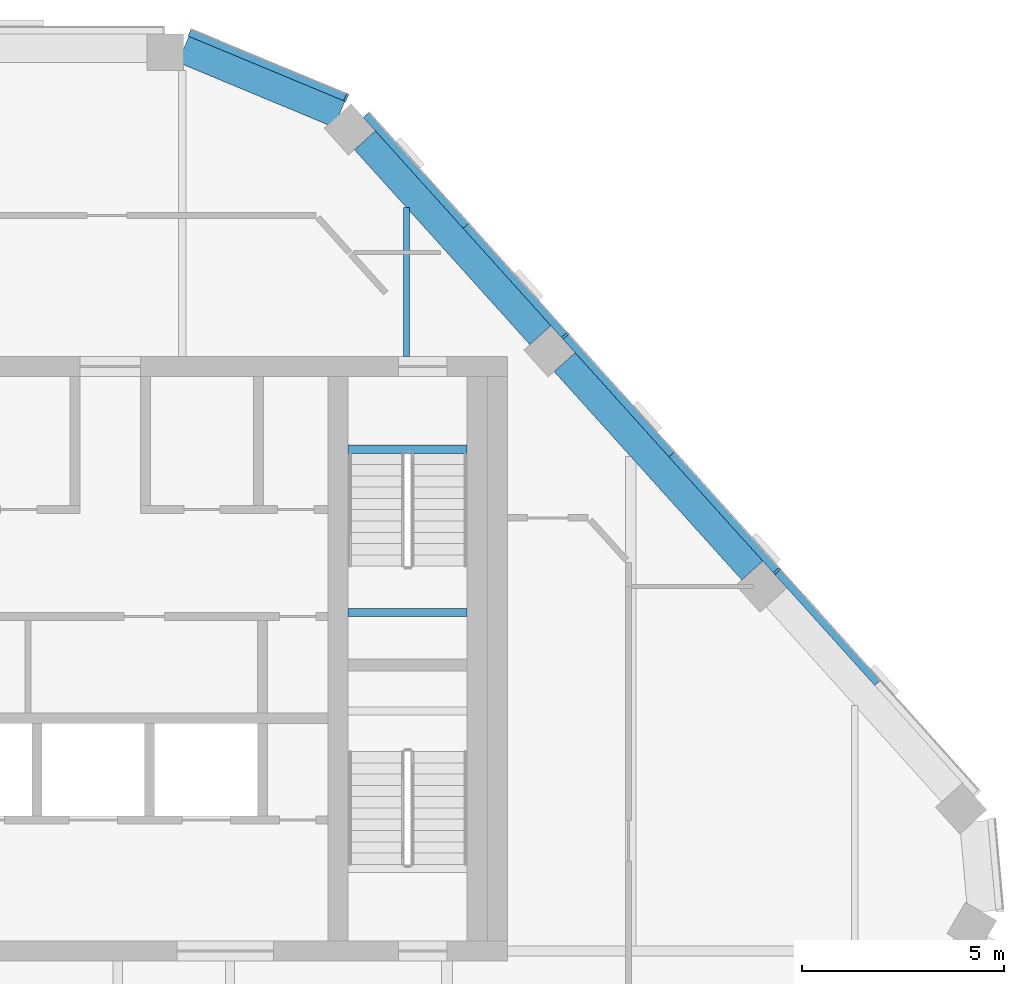
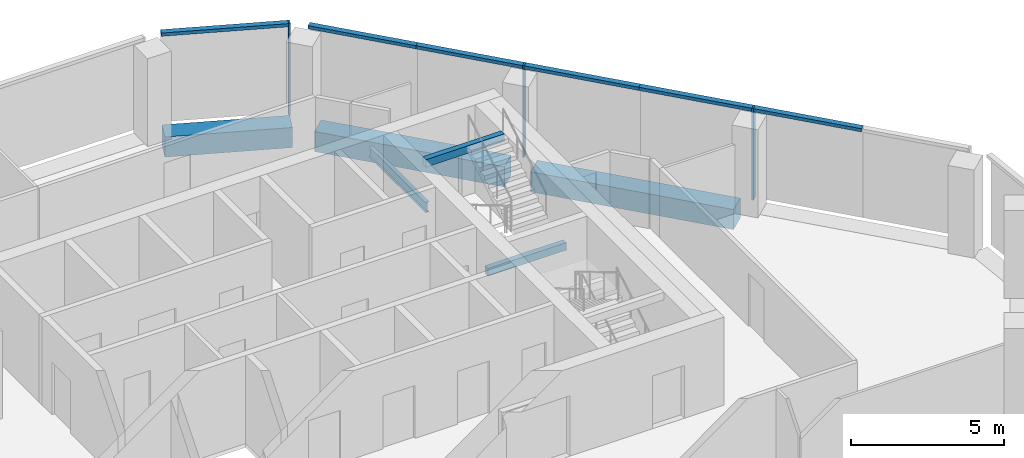
# One storey, part 6 of 15: 9 members, 6 beams, 2 elements without a shape of their own.
"""IFC4 building model written with IfcOpenShell, lengths in metres."""

from ifc_helpers import new_model, si_unit, direction, frame, origin, origin_2d, place, context, subcontext, project, spatial, rectangle, i_section, extrude, material, layer, layer_set, material_profile, profile_set, type_object, element, aggregate, save


model = new_model("IFC4")

# Units and contexts
model_context = context("Model", 3, precision=1e-05, world=origin(), true_north=direction((0.0, 1.0)))
body_context = subcontext(model_context, "Body", "Model", "MODEL_VIEW")
ifc_project = project(units=[si_unit("LENGTHUNIT", "METRE"), si_unit("AREAUNIT", "SQUARE_METRE"), si_unit("VOLUMEUNIT", "CUBIC_METRE"), si_unit("PLANEANGLEUNIT", "RADIAN"), si_unit("MASSUNIT", "GRAM", prefix="KILO")], contexts=[model_context])

# Site, building, storey
site_placement = place(None, origin())
site = spatial("IfcSite", under=ifc_project, at=site_placement, CompositionType="ELEMENT")
building_placement = place(site_placement, origin())
building = spatial("IfcBuilding", under=site, at=building_placement, Name="Isthmus Gate Tower", CompositionType="ELEMENT")
storey_placement = place(building_placement, frame((0.0, 0.0, 290.14990234375)))
storey = spatial("IfcBuildingStorey", under=building, at=storey_placement, Name="L74", CompositionType="ELEMENT", Elevation=290.14990234375)

# Curtain wall, members
ifc_material_1 = material(Name="Aluminium, pale champagne anodised", Category="aluminium")
ifc_layer = layer(ifc_material_1, 0.199951171875)
ifc_layer_set = layer_set([ifc_layer], Name="CW-1 UNITISED CURTAIN WALL 200 DEEP")
curtain_wall_type = type_object("IfcCurtainWallType", Name="CW-1 UNITISED CURTAIN WALL 200 DEEP", PredefinedType="NOTDEFINED", material=ifc_layer_set)
curtain_wall_1_placement = place(storey_placement, origin())
curtain_wall_1 = element("IfcCurtainWall", 1, at=curtain_wall_1_placement, inside=storey, type_object=curtain_wall_type, Name="CW-1 NE L74", PredefinedType="NOTDEFINED")
ifc_material_2 = material(Name="Aluminium, pale champagne anodised", Category="aluminium")
ifc_material_profile_1 = material_profile(ifc_material_2, rectangle(XDim=0.06005859375, YDim=0.199951171875, at=origin_2d()), Name="60x200")
ifc_profile_set_1 = profile_set([ifc_material_profile_1], Name="Aluminium, pale champagne anodised")
member_type_1 = type_object("IfcMemberType", Name="CW-1 MULLION 60 X 200", PredefinedType="MULLION", material=ifc_profile_set_1)
member_1_placement = place(storey_placement, frame((21.69140625, 9.680419921875, 0.0), z_axis=(0.0, 0.0, 1.0), x_axis=(-0.669130606359, 0.743144825477, 0.0)))
member_1 = element("IfcMember", 2, at=member_1_placement, type_object=member_type_1, Name="CW-1 mullion", PredefinedType="MULLION", context=body_context, shape_type="SweptSolid", body=[
    extrude(rectangle(XDim=0.06005859375, YDim=0.199951171875, at=origin_2d()), origin(), (0.0, 0.0, 1.0), 3.650146484375),
])
member_2_placement = place(storey_placement, frame((16.43408203125, 15.519287109375, 0.0), z_axis=(0.0, 0.0, 1.0), x_axis=(-0.669130606359, 0.743144825477, 0.0)))
member_2 = element("IfcMember", 3, at=member_2_placement, type_object=member_type_1, Name="CW-1 mullion", PredefinedType="MULLION", context=body_context, shape_type="SweptSolid", body=[
    extrude(rectangle(XDim=0.06005859375, YDim=0.199951171875, at=origin_2d()), origin(), (0.0, 0.0, 1.0), 3.650146484375),
])

# Curtain wall, member
curtain_wall_2_placement = place(storey_placement, origin())
curtain_wall_2 = element("IfcCurtainWall", 4, at=curtain_wall_2_placement, inside=storey, type_object=curtain_wall_type, Name="CW-1 NE-N L74", PredefinedType="NOTDEFINED")
member_3_placement = place(storey_placement, frame((11.001708984375, 21.427490234375, 0.0), z_axis=(0.0, 0.0, 1.0), x_axis=(-0.923353128387, 0.383951820282, 0.0)))
member_3 = element("IfcMember", 5, at=member_3_placement, type_object=member_type_1, Name="CW-1 mullion", PredefinedType="MULLION", context=body_context, shape_type="SweptSolid", body=[
    extrude(rectangle(XDim=0.06005859375, YDim=0.199951171875, at=origin_2d()), origin(), (0.0, 0.0, 1.0), 3.650146484375),
])

# Member
ifc_material_3 = material(Name="Aluminium, pale champagne anodised", Category="aluminium")
ifc_material_profile_2 = material_profile(ifc_material_3, rectangle(XDim=0.199951171875, YDim=0.1298828125, at=origin_2d()), Name="200x130")
ifc_profile_set_2 = profile_set([ifc_material_profile_2], Name="Aluminium, pale champagne anodised")
member_type_2 = type_object("IfcMemberType", Name="CW-1 TRANSOM 200 X 130", PredefinedType="USERDEFINED", material=ifc_profile_set_2)
member_4_placement = place(storey_placement, frame((24.189453125, 6.906005859375, 3.585205078125), z_axis=(-0.669121330099, 0.743153177754, 0.0), x_axis=(-0.743153177754, -0.669121330099, 0.0)))
member_4 = element("IfcMember", 6, at=member_4_placement, type_object=member_type_2, Name="CW-1 transom", ObjectType="TRANSOM", PredefinedType="USERDEFINED", context=body_context, shape_type="SweptSolid", body=[
    extrude(rectangle(XDim=0.199951171875, YDim=0.1298828125, at=origin_2d()), origin(), (0.0, 0.0, 1.0), 3.703369140625),
])

member_5_placement = place(storey_placement, frame((21.67138671875, 9.702880859375, 3.585205078125), z_axis=(-0.669156480406, 0.743121527565, 0.0), x_axis=(-0.743121527565, -0.669156480406, 0.0)))
member_5 = element("IfcMember", 7, at=member_5_placement, type_object=member_type_2, Name="CW-1 transom", ObjectType="TRANSOM", PredefinedType="USERDEFINED", context=body_context, shape_type="SweptSolid", body=[
    extrude(rectangle(XDim=0.199951171875, YDim=0.1298828125, at=origin_2d()), origin(), (0.0, 0.0, 1.0), 3.868408203125),
])

member_6_placement = place(storey_placement, frame((19.082763671875, 12.57763671875, 3.585205078125), z_axis=(-0.669095199697, 0.743176704252, 0.0), x_axis=(-0.743176704252, -0.669095199697, 0.0)))
member_6 = element("IfcMember", 8, at=member_6_placement, type_object=member_type_2, Name="CW-1 transom", ObjectType="TRANSOM", PredefinedType="USERDEFINED", context=body_context, shape_type="SweptSolid", body=[
    extrude(rectangle(XDim=0.199951171875, YDim=0.1298828125, at=origin_2d()), origin(), (0.0, 0.0, 1.0), 3.92822265625),
])

member_7_placement = place(storey_placement, frame((16.4140625, 15.54150390625, 3.585205078125), z_axis=(-0.669116497993, 0.743157528464, 0.0), x_axis=(-0.743157528464, -0.669116497993, 0.0)))
member_7 = element("IfcMember", 9, at=member_7_placement, type_object=member_type_2, Name="CW-1 transom", ObjectType="TRANSOM", PredefinedType="USERDEFINED", context=body_context, shape_type="SweptSolid", body=[
    extrude(rectangle(XDim=0.199951171875, YDim=0.1298828125, at=origin_2d()), origin(), (0.0, 0.0, 1.0), 3.6435546875),
])

member_8_placement = place(storey_placement, frame((13.97607421875, 18.249267578125, 3.585205078125), z_axis=(-0.669154112043, 0.743123660192, 0.0), x_axis=(-0.743123660192, -0.669154112043, 0.0)))
member_8 = element("IfcMember", 10, at=member_8_placement, type_object=member_type_2, Name="CW-1 transom", ObjectType="TRANSOM", PredefinedType="USERDEFINED", context=body_context, shape_type="SweptSolid", body=[
    extrude(rectangle(XDim=0.199951171875, YDim=0.1298828125, at=origin_2d()), origin(), (0.0, 0.0, 1.0), 3.703125),
])

aggregate(curtain_wall_1, [member_4, member_1, member_5, member_6, member_2, member_7, member_8])

member_9_placement = place(storey_placement, frame((10.97412109375, 21.43896484375, 3.585205078125), z_axis=(-0.923358236369, 0.383939536033, 0.0), x_axis=(-0.383939536033, -0.923358236369, 0.0)))
member_9 = element("IfcMember", 11, at=member_9_placement, type_object=member_type_2, Name="CW-1 transom", ObjectType="TRANSOM", PredefinedType="USERDEFINED", context=body_context, shape_type="SweptSolid", body=[
    extrude(rectangle(XDim=0.199951171875, YDim=0.1298828125, at=origin_2d()), origin(), (0.0, 0.0, 1.0), 4.181640625),
])

aggregate(curtain_wall_2, [member_3, member_9])

# Beams
ifc_material_4 = material(Name="Concrete f'c 50 MPa", Category="concrete")
ifc_material_profile_3 = material_profile(ifc_material_4, rectangle(XDim=0.699951171875, YDim=0.800048828125, at=origin_2d()), Name="RC 700X800")
ifc_profile_set_3 = profile_set([ifc_material_profile_3], Name="Concrete f'c 50 MPa")
beam_type_1 = type_object("IfcBeamType", Name="RC SPANDREL 700 X 800", PredefinedType="SPANDREL", material=ifc_profile_set_3)
beam_1_placement = place(storey_placement, frame((6.95947265625, 22.620849609375, -0.39990234375), z_axis=(0.923360646135, -0.383933740597, 0.0), x_axis=(0.383933740597, 0.923360646135, 0.0)))
element("IfcBeam", 12, at=beam_1_placement, inside=storey, type_object=beam_type_1, Name="str-spandrel-L74-00", PredefinedType="SPANDREL", context=body_context, shape_type="SweptSolid", body=[
    extrude(rectangle(XDim=0.699951171875, YDim=0.800048828125, at=origin_2d()), origin(), (0.0, 0.0, 1.0), 4.19677734375),
])
beam_2_placement = place(storey_placement, frame((11.46484375, 20.36572265625, -0.39990234375), z_axis=(0.669122265754, -0.743152335307, 0.0), x_axis=(0.743152335307, 0.669122265754, 0.0)))
element("IfcBeam", 13, at=beam_2_placement, inside=storey, type_object=beam_type_1, Name="str-spandrel-L74-01", PredefinedType="SPANDREL", context=body_context, shape_type="SweptSolid", body=[
    extrude(rectangle(XDim=0.699951171875, YDim=0.800048828125, at=origin_2d()), origin(), (0.0, 0.0, 1.0), 6.506591796875),
])
beam_3_placement = place(storey_placement, frame((16.4208984375, 14.861572265625, -0.39990234375), z_axis=(0.669131458307, -0.743144058379, 0.0), x_axis=(0.743144058379, 0.669131458307, 0.0)))
element("IfcBeam", 14, at=beam_3_placement, inside=storey, type_object=beam_type_1, Name="str-spandrel-L74-02", PredefinedType="SPANDREL", context=body_context, shape_type="SweptSolid", body=[
    extrude(rectangle(XDim=0.699951171875, YDim=0.800048828125, at=origin_2d()), origin(), (0.0, 0.0, 1.0), 6.956787109375),
])
ifc_material_5 = material(Name="Concrete f'c 40 MPa", Category="concrete")
ifc_material_profile_4 = material_profile(ifc_material_5, rectangle(XDim=0.199951171875, YDim=0.300048828125, at=origin_2d()), Name="STAIR LANDING BEAM RC 200 X 300")
ifc_profile_set_4 = profile_set([ifc_material_profile_4], Name="Concrete f'c 40 MPa")
beam_type_2 = type_object("IfcBeamType", Name="STAIR LANDING BEAM RC 200 X 300", PredefinedType="BEAM", material=ifc_profile_set_4)
for number, where, z_axis, x_axis, name in (
    (15, (11.050048828125, 8.64990234375, 1.47509765625), (1.0, 0.0, 0.0), (0.0, 1.0, 0.0), "L74 ST2 landing beam 1"),
    (16, (11.050048828125, 12.7001953125, 3.35009765625), (1.0, 0.0, 0.0), (0.0, 1.0, 0.0), "L74 ST2 floor-edge seat beam"),
):
    element("IfcBeam", number, at=place(storey_placement, frame(where, z_axis=z_axis, x_axis=x_axis)), inside=storey, type_object=beam_type_2, Name=name, PredefinedType="BEAM", context=body_context, shape_type="SweptSolid", body=[
        extrude(rectangle(XDim=0.199951171875, YDim=0.300048828125, at=origin_2d()), origin(), (0.0, 0.0, 1.0), 2.949951171875),
    ])
ifc_material_6 = material(Name="Structural steel ASTM A992 Gr 50", Category="steel")
ifc_material_profile_5 = material_profile(ifc_material_6, i_section(OverallWidth=0.1396484375, OverallDepth=0.4033203125, WebThickness=0.00634765625, FlangeThickness=0.010986328125, at=origin_2d()), Name="W16X31")
ifc_profile_set_5 = profile_set([ifc_material_profile_5], Name="Structural steel ASTM A992 Gr 50")
beam_type_3 = type_object("IfcBeamType", Name="STEEL FLOOR BEAM W16X31", PredefinedType="JOIST", material=ifc_profile_set_5)
beam_4_placement = place(storey_placement, frame((12.49560546875, 15.0, -0.3515625), z_axis=(0.0, 1.0, 0.0), x_axis=(-1.0, 0.0, 0.0)))
element("IfcBeam", 17, at=beam_4_placement, inside=storey, type_object=beam_type_3, Name="str-beam-L74-07-05", PredefinedType="JOIST", context=body_context, shape_type="SweptSolid", body=[
    extrude(i_section(OverallWidth=0.1396484375, OverallDepth=0.4033203125, WebThickness=0.00634765625, FlangeThickness=0.010986328125, at=origin_2d()), origin(), (0.0, 0.0, 1.0), 3.69775390625),
])

save(model, "model.ifc")
